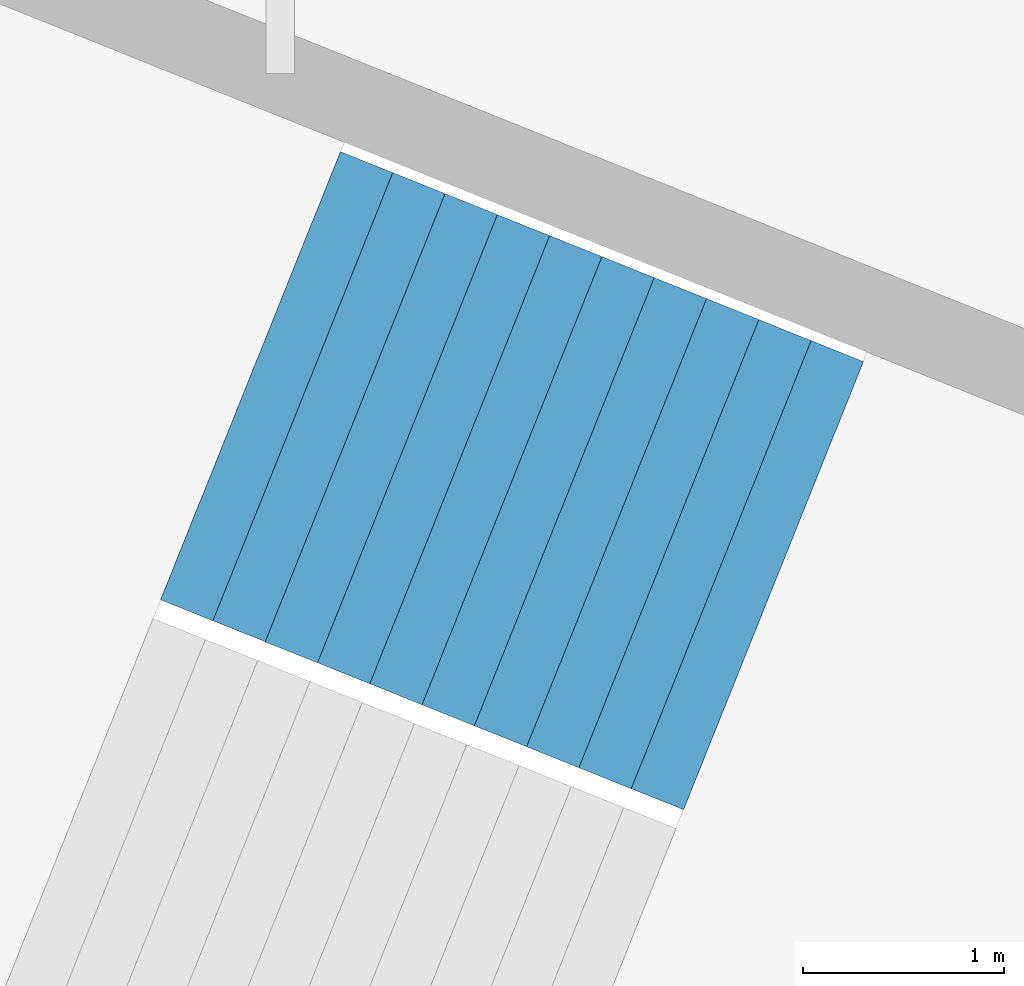
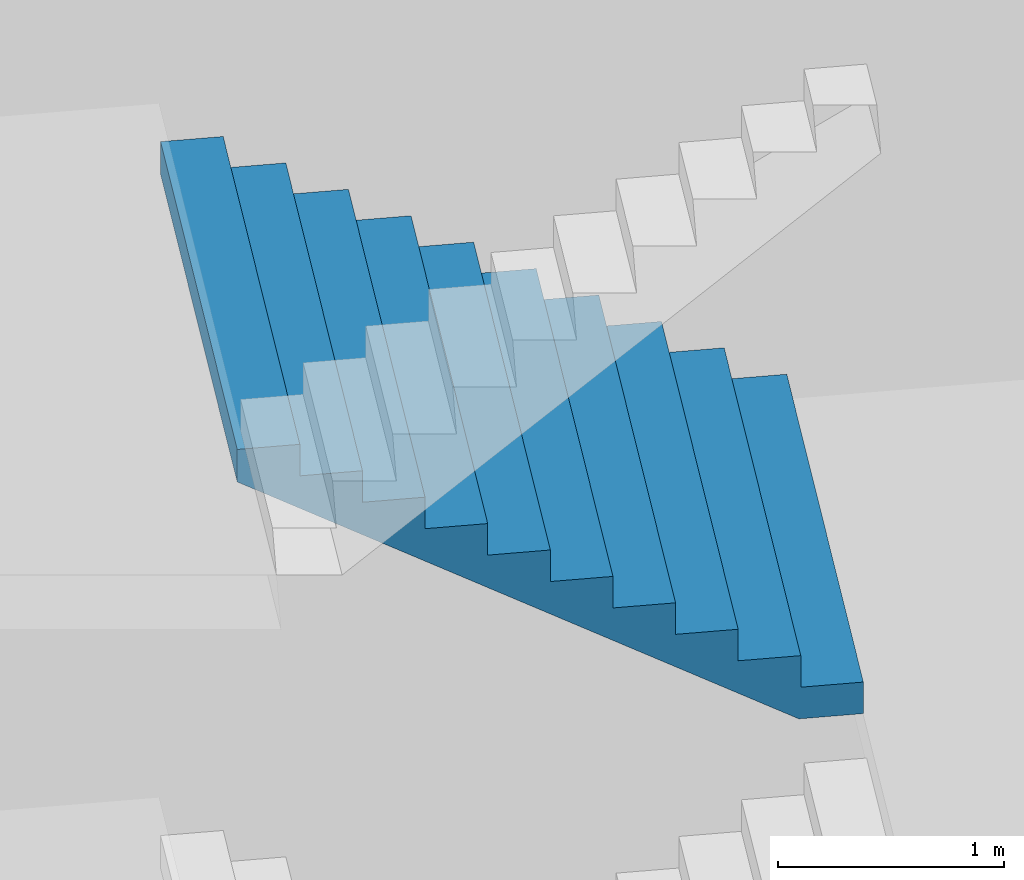
# One storey, part 36 of 73: 1 stair flight, 1 element without a shape of its own.
"""IFC4 building model written with IfcOpenShell, lengths in metres."""

from ifc_helpers import new_model, si_unit, direction, frame, origin, place, context, subcontext, project, spatial, triangles, material, type_object, element, aggregate, save


model = new_model("IFC4")

# Units and contexts
model_context = context("Model", 3, precision=1e-05, world=origin(), true_north=direction((0.0, 1.0)))
body_context = subcontext(model_context, "Body", "Model", "MODEL_VIEW")
ifc_project = project(units=[si_unit("LENGTHUNIT", "METRE"), si_unit("AREAUNIT", "SQUARE_METRE"), si_unit("VOLUMEUNIT", "CUBIC_METRE"), si_unit("PLANEANGLEUNIT", "RADIAN"), si_unit("MASSUNIT", "GRAM", prefix="KILO")], contexts=[model_context])

# Site, building, storey
site_placement = place(None, origin())
site = spatial("IfcSite", under=ifc_project, at=site_placement, CompositionType="ELEMENT")
building_placement = place(site_placement, origin())
building = spatial("IfcBuilding", under=site, at=building_placement, Name="Lantaw Convention Tower", CompositionType="ELEMENT")
storey_placement = place(building_placement, frame((0.0, 0.0, 14.5)))
storey = spatial("IfcBuildingStorey", under=building, at=storey_placement, Name="L02", CompositionType="ELEMENT", Elevation=14.5)

# Stair, stair flight
ifc_material = material(Name="Concrete C35/45", Category="concrete")
stair_type = type_object("IfcStairType", Name="Exit stair 2400 riser 170.45 in 4 flights", PredefinedType="HALF_TURN_STAIR", material=ifc_material)
stair_placement = place(storey_placement, origin())
stair = element("IfcStair", 1, at=stair_placement, inside=storey, type_object=stair_type, Name="Podium exit stair P8 L02", PredefinedType="HALF_TURN_STAIR")
stair_flight_type = type_object("IfcStairFlightType", Name="Stair flight 2400 riser 170.45", PredefinedType="STRAIGHT", material=ifc_material)
stair_flight_placement = place(storey_placement, frame((-35.799560546875, 15.71826171875, 3.75), z_axis=(0.0, 0.0, 1.0), x_axis=(-0.928015168305, 0.372542410198, 0.0)))
stair_flight = element("IfcStairFlight", 2, at=stair_flight_placement, type_object=stair_flight_type, Name="P8 flight 3", NumberOfRisers=11, NumberOfTreads=10, PredefinedType="STRAIGHT", RiserHeight=0.170454545, TreadLength=0.28, context=body_context, shape_type="Tessellation", body=[
    triangles([(0.0, 1.199951171875, 0.0), (0.0, 1.199951171875, 0.170454545), (0.28, 1.199951171875, 0.0), (0.28, 1.199951171875, 0.170454545), (0.28, 1.199951171875, 0.34090909), (0.28827876332691904, 1.199951171875, 0.0), (0.28827876332691904, 1.199951171875, 0.34090909), (0.56, 1.199951171875, 0.16541471344266906), (0.56, 1.199951171875, 0.34090909), (0.56, 1.199951171875, 0.511363635), (0.8400000000000001, 1.199951171875, 0.335869258442669), (0.8400000000000001, 1.199951171875, 0.511363635), (0.8400000000000001, 1.199951171875, 0.68181818), (1.12, 1.199951171875, 0.506323803442669), (1.12, 1.199951171875, 0.68181818), (1.12, 1.199951171875, 0.8522727250000001), (1.4000000000000001, 1.199951171875, 0.676778348442669), (1.4000000000000001, 1.199951171875, 0.8522727250000001), (1.4000000000000001, 1.199951171875, 1.02272727), (1.6800000000000002, 1.199951171875, 0.847232893442669), (1.6800000000000002, 1.199951171875, 1.02272727), (1.6800000000000002, 1.199951171875, 1.193181815), (1.9600000000000002, 1.199951171875, 1.017687438442669), (1.9600000000000002, 1.199951171875, 1.193181815), (1.9600000000000002, 1.199951171875, 1.36363636), (2.24, 1.199951171875, 1.188141983442669), (2.24, 1.199951171875, 1.36363636), (2.24, 1.199951171875, 1.5340909050000002), (2.5200000000000005, 1.199951171875, 1.358596528442669), (2.5200000000000005, 1.199951171875, 1.5340909050000002), (2.5200000000000005, 1.199951171875, 1.7045454500000001), (2.8000000000000003, 1.199951171875, 1.529051073442669), (2.8000000000000003, 1.199951171875, 1.7045454500000001), (0.0, -1.199951171875, 0.0), (0.0, -1.199951171875, 0.170454545), (0.28, -1.199951171875, 0.0), (0.28, -1.199951171875, 0.170454545), (0.28, -1.199951171875, 0.34090909), (0.28827876332691904, -1.199951171875, 0.0), (0.28827876332691904, -1.199951171875, 0.34090909), (0.56, -1.199951171875, 0.16541471344266906), (0.56, -1.199951171875, 0.34090909), (0.56, -1.199951171875, 0.511363635), (0.8400000000000001, -1.199951171875, 0.335869258442669), (0.8400000000000001, -1.199951171875, 0.511363635), (0.8400000000000001, -1.199951171875, 0.68181818), (1.12, -1.199951171875, 0.506323803442669), (1.12, -1.199951171875, 0.68181818), (1.12, -1.199951171875, 0.8522727250000001), (1.4000000000000001, -1.199951171875, 0.676778348442669), (1.4000000000000001, -1.199951171875, 0.8522727250000001), (1.4000000000000001, -1.199951171875, 1.02272727), (1.6800000000000002, -1.199951171875, 0.847232893442669), (1.6800000000000002, -1.199951171875, 1.02272727), (1.6800000000000002, -1.199951171875, 1.193181815), (1.9600000000000002, -1.199951171875, 1.017687438442669), (1.9600000000000002, -1.199951171875, 1.193181815), (1.9600000000000002, -1.199951171875, 1.36363636), (2.24, -1.199951171875, 1.188141983442669), (2.24, -1.199951171875, 1.36363636), (2.24, -1.199951171875, 1.5340909050000002), (2.5200000000000005, -1.199951171875, 1.358596528442669), (2.5200000000000005, -1.199951171875, 1.5340909050000002), (2.5200000000000005, -1.199951171875, 1.7045454500000001), (2.8000000000000003, -1.199951171875, 1.529051073442669), (2.8000000000000003, -1.199951171875, 1.7045454500000001), (0.0, 0.239990234375, 0.170454545), (0.0, 0.239990234375, 0.0), (0.0, 0.1199951171875, 0.170454545), (0.0, 0.1199951171875, 0.0), (0.0, 0.0, 0.170454545), (0.0, 0.0, 0.0), (0.0, -0.1199951171875, 0.170454545), (0.0, -0.1199951171875, 0.0), (0.0, -0.239990234375, 0.170454545), (0.0, -0.239990234375, 0.0), (0.28, 0.239990234375, 0.34090909), (0.28, 0.239990234375, 0.170454545), (0.28, 0.1199951171875, 0.34090909), (0.28, 0.1199951171875, 0.170454545), (0.28, 0.0, 0.34090909), (0.28, 0.0, 0.170454545), (0.28, -0.1199951171875, 0.34090909), (0.28, -0.1199951171875, 0.170454545), (0.28, -0.239990234375, 0.34090909), (0.28, -0.239990234375, 0.170454545), (0.56, 0.239990234375, 0.511363635), (0.56, 0.239990234375, 0.34090909), (0.56, 0.1199951171875, 0.511363635), (0.56, 0.1199951171875, 0.34090909), (0.56, 0.0, 0.511363635), (0.56, 0.0, 0.34090909), (0.56, -0.1199951171875, 0.511363635), (0.56, -0.1199951171875, 0.34090909), (0.56, -0.239990234375, 0.511363635), (0.56, -0.239990234375, 0.34090909), (0.8400000000000001, 0.239990234375, 0.68181818), (0.8400000000000001, 0.239990234375, 0.511363635), (0.8400000000000001, 0.1199951171875, 0.68181818), (0.8400000000000001, 0.1199951171875, 0.511363635), (0.8400000000000001, 0.0, 0.68181818), (0.8400000000000001, 0.0, 0.511363635), (0.8400000000000001, -0.1199951171875, 0.68181818), (0.8400000000000001, -0.1199951171875, 0.511363635), (0.8400000000000001, -0.239990234375, 0.68181818), (0.8400000000000001, -0.239990234375, 0.511363635), (1.12, 0.239990234375, 0.8522727250000001), (1.12, 0.239990234375, 0.68181818), (1.12, 0.1199951171875, 0.8522727250000001), (1.12, 0.1199951171875, 0.68181818), (1.12, 0.0, 0.8522727250000001), (1.12, 0.0, 0.68181818), (1.12, -0.1199951171875, 0.8522727250000001), (1.12, -0.1199951171875, 0.68181818), (1.12, -0.239990234375, 0.8522727250000001), (1.12, -0.239990234375, 0.68181818), (1.4000000000000001, 0.239990234375, 1.02272727), (1.4000000000000001, 0.239990234375, 0.8522727250000001), (1.4000000000000001, 0.1199951171875, 1.02272727), (1.4000000000000001, 0.1199951171875, 0.8522727250000001), (1.4000000000000001, 0.0, 1.02272727), (1.4000000000000001, 0.0, 0.8522727250000001), (1.4000000000000001, -0.1199951171875, 1.02272727), (1.4000000000000001, -0.1199951171875, 0.8522727250000001), (1.4000000000000001, -0.239990234375, 1.02272727), (1.4000000000000001, -0.239990234375, 0.8522727250000001), (1.6800000000000002, 0.239990234375, 1.193181815), (1.6800000000000002, 0.239990234375, 1.02272727), (1.6800000000000002, 0.1199951171875, 1.193181815), (1.6800000000000002, 0.1199951171875, 1.02272727), (1.6800000000000002, 0.0, 1.193181815), (1.6800000000000002, 0.0, 1.02272727), (1.6800000000000002, -0.1199951171875, 1.193181815), (1.6800000000000002, -0.1199951171875, 1.02272727), (1.6800000000000002, -0.239990234375, 1.193181815), (1.6800000000000002, -0.239990234375, 1.02272727), (1.9600000000000002, 0.239990234375, 1.36363636), (1.9600000000000002, 0.239990234375, 1.193181815), (1.9600000000000002, 0.1199951171875, 1.36363636), (1.9600000000000002, 0.1199951171875, 1.193181815), (1.9600000000000002, 0.0, 1.36363636), (1.9600000000000002, 0.0, 1.193181815), (1.9600000000000002, -0.1199951171875, 1.36363636), (1.9600000000000002, -0.1199951171875, 1.193181815), (1.9600000000000002, -0.239990234375, 1.36363636), (1.9600000000000002, -0.239990234375, 1.193181815), (2.24, 0.239990234375, 1.5340909050000002), (2.24, 0.239990234375, 1.36363636), (2.24, 0.1199951171875, 1.5340909050000002), (2.24, 0.1199951171875, 1.36363636), (2.24, 0.0, 1.5340909050000002), (2.24, 0.0, 1.36363636), (2.24, -0.1199951171875, 1.5340909050000002), (2.24, -0.1199951171875, 1.36363636), (2.24, -0.239990234375, 1.5340909050000002), (2.24, -0.239990234375, 1.36363636), (2.5200000000000005, 0.239990234375, 1.7045454500000001), (2.5200000000000005, 0.239990234375, 1.5340909050000002), (2.5200000000000005, 0.1199951171875, 1.7045454500000001), (2.5200000000000005, 0.1199951171875, 1.5340909050000002), (2.5200000000000005, 0.0, 1.7045454500000001), (2.5200000000000005, 0.0, 1.5340909050000002), (2.5200000000000005, -0.1199951171875, 1.7045454500000001), (2.5200000000000005, -0.1199951171875, 1.5340909050000002), (2.5200000000000005, -0.239990234375, 1.7045454500000001), (2.5200000000000005, -0.239990234375, 1.5340909050000002), (0.28827876332691904, 0.239990234375, 0.34090909), (0.28827876332691904, 0.1199951171875, 0.34090909), (0.28827876332691904, 0.0, 0.34090909), (0.28827876332691904, -0.1199951171875, 0.34090909), (0.28827876332691904, -0.239990234375, 0.34090909), (2.8000000000000003, 0.239990234375, 1.7045454500000001), (2.8000000000000003, 0.1199951171875, 1.7045454500000001), (2.8000000000000003, 0.0, 1.7045454500000001), (2.8000000000000003, -0.1199951171875, 1.7045454500000001), (2.8000000000000003, -0.239990234375, 1.7045454500000001), (2.8000000000000003, 0.239990234375, 1.5290510734426692), (2.8000000000000003, 0.1199951171875, 1.5290510734426692), (2.8000000000000003, 0.0, 1.5290510734426692), (2.8000000000000003, -0.1199951171875, 1.5290510734426692), (2.8000000000000003, -0.239990234375, 1.5290510734426692), (2.5200000000000005, 0.239990234375, 1.358596528442669), (2.5200000000000005, 0.1199951171875, 1.358596528442669), (2.5200000000000005, 0.0, 1.358596528442669), (2.5200000000000005, -0.1199951171875, 1.358596528442669), (2.5200000000000005, -0.239990234375, 1.358596528442669), (2.24, 0.239990234375, 1.188141983442669), (2.24, 0.1199951171875, 1.188141983442669), (2.24, 0.0, 1.188141983442669), (2.24, -0.1199951171875, 1.188141983442669), (2.24, -0.239990234375, 1.188141983442669), (1.9600000000000002, 0.239990234375, 1.017687438442669), (1.9600000000000002, 0.1199951171875, 1.017687438442669), (1.9600000000000002, 0.0, 1.017687438442669), (1.9600000000000002, -0.1199951171875, 1.017687438442669), (1.9600000000000002, -0.239990234375, 1.017687438442669), (1.6800000000000002, 0.239990234375, 0.847232893442669), (1.6800000000000002, 0.1199951171875, 0.847232893442669), (1.6800000000000002, 0.0, 0.847232893442669), (1.6800000000000002, -0.1199951171875, 0.847232893442669), (1.6800000000000002, -0.239990234375, 0.847232893442669), (1.4000000000000001, 0.239990234375, 0.676778348442669), (1.4000000000000001, 0.1199951171875, 0.676778348442669), (1.4000000000000001, 0.0, 0.676778348442669), (1.4000000000000001, -0.1199951171875, 0.676778348442669), (1.4000000000000001, -0.239990234375, 0.676778348442669), (1.12, 0.239990234375, 0.506323803442669), (1.12, 0.1199951171875, 0.506323803442669), (1.12, 0.0, 0.506323803442669), (1.12, -0.1199951171875, 0.506323803442669), (1.12, -0.239990234375, 0.506323803442669), (0.8400000000000001, 0.239990234375, 0.335869258442669), (0.8400000000000001, 0.1199951171875, 0.335869258442669), (0.8400000000000001, 0.0, 0.335869258442669), (0.8400000000000001, -0.1199951171875, 0.335869258442669), (0.8400000000000001, -0.239990234375, 0.335869258442669), (0.56, 0.239990234375, 0.16541471344266906), (0.56, 0.1199951171875, 0.16541471344266906), (0.56, 0.0, 0.16541471344266906), (0.56, -0.1199951171875, 0.16541471344266906), (0.56, -0.239990234375, 0.16541471344266906), (0.28827876332691904, 0.239990234375, 0.0), (0.28827876332691904, 0.1199951171875, 0.0), (0.28827876332691904, 0.0, 0.0), (0.28827876332691904, -0.1199951171875, 0.0), (0.28827876332691904, -0.239990234375, 0.0), (0.28, 0.239990234375, 0.0), (0.28, 0.1199951171875, 0.0), (0.28, 0.0, 0.0), (0.28, -0.1199951171875, 0.0), (0.28, -0.239990234375, 0.0)], [[1, 4, 3], [1, 2, 4], [3, 4, 6], [4, 7, 6], [4, 5, 7], [6, 9, 8], [6, 7, 9], [8, 9, 11], [9, 12, 11], [9, 10, 12], [11, 12, 14], [12, 15, 14], [12, 13, 15], [14, 15, 17], [15, 18, 17], [15, 16, 18], [17, 18, 20], [18, 21, 20], [18, 19, 21], [20, 21, 23], [21, 24, 23], [21, 22, 24], [23, 24, 26], [24, 27, 26], [24, 25, 27], [26, 27, 29], [27, 30, 29], [27, 28, 30], [29, 30, 32], [30, 33, 32], [30, 31, 33], [34, 36, 37], [34, 37, 35], [36, 39, 37], [37, 39, 40], [37, 40, 38], [39, 41, 42], [39, 42, 40], [41, 44, 42], [42, 44, 45], [42, 45, 43], [44, 47, 45], [45, 47, 48], [45, 48, 46], [47, 50, 48], [48, 50, 51], [48, 51, 49], [50, 53, 51], [51, 53, 54], [51, 54, 52], [53, 56, 54], [54, 56, 57], [54, 57, 55], [56, 59, 57], [57, 59, 60], [57, 60, 58], [59, 62, 60], [60, 62, 63], [60, 63, 61], [62, 65, 63], [63, 65, 66], [63, 66, 64], [1, 67, 2], [1, 68, 67], [68, 69, 67], [68, 70, 69], [70, 71, 69], [70, 72, 71], [72, 73, 71], [72, 74, 73], [74, 75, 73], [74, 76, 75], [76, 35, 75], [76, 34, 35], [4, 77, 5], [4, 78, 77], [78, 79, 77], [78, 80, 79], [80, 81, 79], [80, 82, 81], [82, 83, 81], [82, 84, 83], [84, 85, 83], [84, 86, 85], [86, 38, 85], [86, 37, 38], [9, 87, 10], [9, 88, 87], [88, 89, 87], [88, 90, 89], [90, 91, 89], [90, 92, 91], [92, 93, 91], [92, 94, 93], [94, 95, 93], [94, 96, 95], [96, 43, 95], [96, 42, 43], [12, 97, 13], [12, 98, 97], [98, 99, 97], [98, 100, 99], [100, 101, 99], [100, 102, 101], [102, 103, 101], [102, 104, 103], [104, 105, 103], [104, 106, 105], [106, 46, 105], [106, 45, 46], [15, 107, 16], [15, 108, 107], [108, 109, 107], [108, 110, 109], [110, 111, 109], [110, 112, 111], [112, 113, 111], [112, 114, 113], [114, 115, 113], [114, 116, 115], [116, 49, 115], [116, 48, 49], [18, 117, 19], [18, 118, 117], [118, 119, 117], [118, 120, 119], [120, 121, 119], [120, 122, 121], [122, 123, 121], [122, 124, 123], [124, 125, 123], [124, 126, 125], [126, 52, 125], [126, 51, 52], [21, 127, 22], [21, 128, 127], [128, 129, 127], [128, 130, 129], [130, 131, 129], [130, 132, 131], [132, 133, 131], [132, 134, 133], [134, 135, 133], [134, 136, 135], [136, 55, 135], [136, 54, 55], [24, 137, 25], [24, 138, 137], [138, 139, 137], [138, 140, 139], [140, 141, 139], [140, 142, 141], [142, 143, 141], [142, 144, 143], [144, 145, 143], [144, 146, 145], [146, 58, 145], [146, 57, 58], [27, 147, 28], [27, 148, 147], [148, 149, 147], [148, 150, 149], [150, 151, 149], [150, 152, 151], [152, 153, 151], [152, 154, 153], [154, 155, 153], [154, 156, 155], [156, 61, 155], [156, 60, 61], [30, 157, 31], [30, 158, 157], [158, 159, 157], [158, 160, 159], [160, 161, 159], [160, 162, 161], [162, 163, 161], [162, 164, 163], [164, 165, 163], [164, 166, 165], [166, 64, 165], [166, 63, 64], [2, 78, 4], [2, 67, 78], [67, 80, 78], [67, 69, 80], [69, 82, 80], [69, 71, 82], [71, 84, 82], [71, 73, 84], [73, 86, 84], [73, 75, 86], [75, 37, 86], [75, 35, 37], [5, 167, 7], [5, 77, 167], [77, 168, 167], [77, 79, 168], [79, 169, 168], [79, 81, 169], [81, 170, 169], [81, 83, 170], [83, 171, 170], [83, 85, 171], [85, 40, 171], [85, 38, 40], [7, 88, 9], [7, 167, 88], [167, 90, 88], [167, 168, 90], [168, 92, 90], [168, 169, 92], [169, 94, 92], [169, 170, 94], [170, 96, 94], [170, 171, 96], [171, 42, 96], [171, 40, 42], [10, 98, 12], [10, 87, 98], [87, 100, 98], [87, 89, 100], [89, 102, 100], [89, 91, 102], [91, 104, 102], [91, 93, 104], [93, 106, 104], [93, 95, 106], [95, 45, 106], [95, 43, 45], [13, 108, 15], [13, 97, 108], [97, 110, 108], [97, 99, 110], [99, 112, 110], [99, 101, 112], [101, 114, 112], [101, 103, 114], [103, 116, 114], [103, 105, 116], [105, 48, 116], [105, 46, 48], [16, 118, 18], [16, 107, 118], [107, 120, 118], [107, 109, 120], [109, 122, 120], [109, 111, 122], [111, 124, 122], [111, 113, 124], [113, 126, 124], [113, 115, 126], [115, 51, 126], [115, 49, 51], [19, 128, 21], [19, 117, 128], [117, 130, 128], [117, 119, 130], [119, 132, 130], [119, 121, 132], [121, 134, 132], [121, 123, 134], [123, 136, 134], [123, 125, 136], [125, 54, 136], [125, 52, 54], [22, 138, 24], [22, 127, 138], [127, 140, 138], [127, 129, 140], [129, 142, 140], [129, 131, 142], [131, 144, 142], [131, 133, 144], [133, 146, 144], [133, 135, 146], [135, 57, 146], [135, 55, 57], [25, 148, 27], [25, 137, 148], [137, 150, 148], [137, 139, 150], [139, 152, 150], [139, 141, 152], [141, 154, 152], [141, 143, 154], [143, 156, 154], [143, 145, 156], [145, 60, 156], [145, 58, 60], [28, 158, 30], [28, 147, 158], [147, 160, 158], [147, 149, 160], [149, 162, 160], [149, 151, 162], [151, 164, 162], [151, 153, 164], [153, 166, 164], [153, 155, 166], [155, 63, 166], [155, 61, 63], [31, 172, 33], [31, 157, 172], [157, 173, 172], [157, 159, 173], [159, 174, 173], [159, 161, 174], [161, 175, 174], [161, 163, 175], [163, 176, 175], [163, 165, 176], [165, 66, 176], [165, 64, 66], [33, 177, 32], [33, 172, 177], [172, 178, 177], [172, 173, 178], [173, 179, 178], [173, 174, 179], [174, 180, 179], [174, 175, 180], [175, 181, 180], [175, 176, 181], [176, 65, 181], [176, 66, 65], [32, 182, 29], [32, 177, 182], [177, 183, 182], [177, 178, 183], [178, 184, 183], [178, 179, 184], [179, 185, 184], [179, 180, 185], [180, 186, 185], [180, 181, 186], [181, 62, 186], [181, 65, 62], [29, 187, 26], [29, 182, 187], [182, 188, 187], [182, 183, 188], [183, 189, 188], [183, 184, 189], [184, 190, 189], [184, 185, 190], [185, 191, 190], [185, 186, 191], [186, 59, 191], [186, 62, 59], [26, 192, 23], [26, 187, 192], [187, 193, 192], [187, 188, 193], [188, 194, 193], [188, 189, 194], [189, 195, 194], [189, 190, 195], [190, 196, 195], [190, 191, 196], [191, 56, 196], [191, 59, 56], [23, 197, 20], [23, 192, 197], [192, 198, 197], [192, 193, 198], [193, 199, 198], [193, 194, 199], [194, 200, 199], [194, 195, 200], [195, 201, 200], [195, 196, 201], [196, 53, 201], [196, 56, 53], [20, 202, 17], [20, 197, 202], [197, 203, 202], [197, 198, 203], [198, 204, 203], [198, 199, 204], [199, 205, 204], [199, 200, 205], [200, 206, 205], [200, 201, 206], [201, 50, 206], [201, 53, 50], [17, 207, 14], [17, 202, 207], [202, 208, 207], [202, 203, 208], [203, 209, 208], [203, 204, 209], [204, 210, 209], [204, 205, 210], [205, 211, 210], [205, 206, 211], [206, 47, 211], [206, 50, 47], [14, 212, 11], [14, 207, 212], [207, 213, 212], [207, 208, 213], [208, 214, 213], [208, 209, 214], [209, 215, 214], [209, 210, 215], [210, 216, 215], [210, 211, 216], [211, 44, 216], [211, 47, 44], [11, 217, 8], [11, 212, 217], [212, 218, 217], [212, 213, 218], [213, 219, 218], [213, 214, 219], [214, 220, 219], [214, 215, 220], [215, 221, 220], [215, 216, 221], [216, 41, 221], [216, 44, 41], [8, 222, 6], [8, 217, 222], [217, 223, 222], [217, 218, 223], [218, 224, 223], [218, 219, 224], [219, 225, 224], [219, 220, 225], [220, 226, 225], [220, 221, 226], [221, 39, 226], [221, 41, 39], [6, 227, 3], [6, 222, 227], [222, 228, 227], [222, 223, 228], [223, 229, 228], [223, 224, 229], [224, 230, 229], [224, 225, 230], [225, 231, 230], [225, 226, 231], [226, 36, 231], [226, 39, 36], [3, 68, 1], [3, 227, 68], [227, 70, 68], [227, 228, 70], [228, 72, 70], [228, 229, 72], [229, 74, 72], [229, 230, 74], [230, 76, 74], [230, 231, 76], [231, 34, 76], [231, 36, 34]], closed=True),
])
aggregate(stair, [stair_flight])

save(model, "model.ifc")
